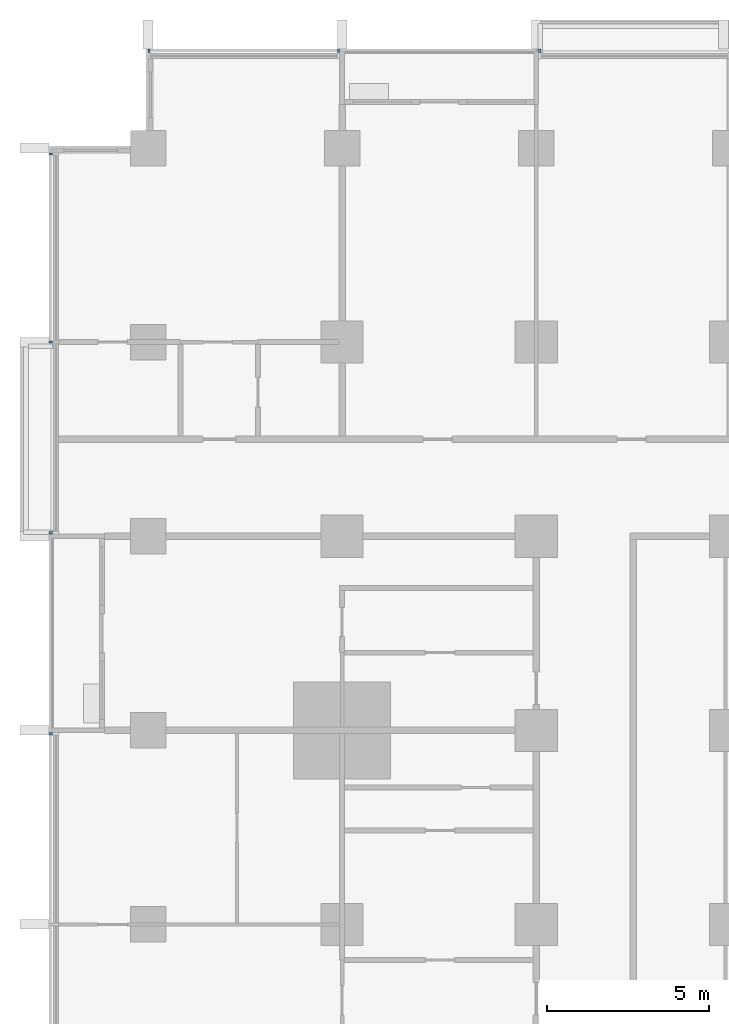
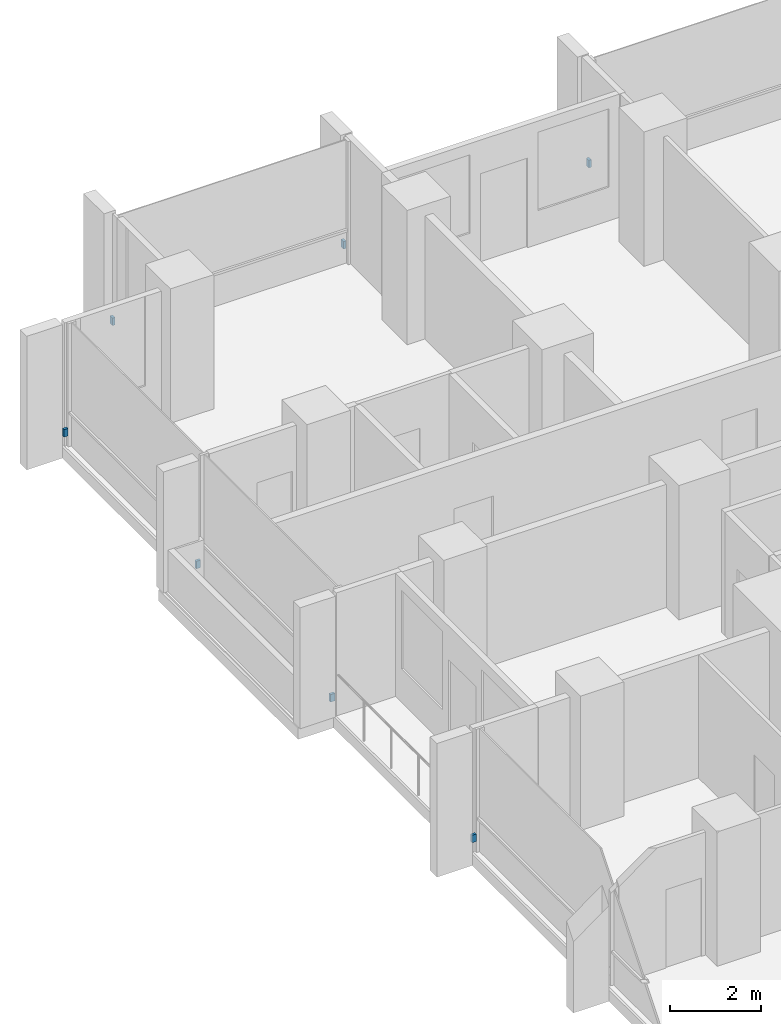
# One storey, part 16 of 18: 7 discrete accessories.
"""IFC4 building model written with IfcOpenShell, lengths in metres."""

from ifc_helpers import new_model, si_unit, direction, frame, origin, origin_2d, place, context, subcontext, project, spatial, rectangle, extrude, material, type_object, element, save


model = new_model("IFC4")

# Units and contexts
model_context = context("Model", 3, precision=1e-05, world=origin(), true_north=direction((0.0, 1.0)))
body_context = subcontext(model_context, "Body", "Model", "MODEL_VIEW")
ifc_project = project(units=[si_unit("LENGTHUNIT", "METRE"), si_unit("AREAUNIT", "SQUARE_METRE"), si_unit("VOLUMEUNIT", "CUBIC_METRE"), si_unit("PLANEANGLEUNIT", "RADIAN"), si_unit("MASSUNIT", "GRAM", prefix="KILO")], contexts=[model_context])

# Site, building, storey
site_placement = place(None, origin())
site = spatial("IfcSite", under=ifc_project, at=site_placement, CompositionType="ELEMENT")
building_placement = place(site_placement, origin())
building = spatial("IfcBuilding", under=site, at=building_placement, Name="Finial Court Residences", CompositionType="ELEMENT")
storey_placement = place(building_placement, frame((0.0, 0.0, 39.699951171875)))
storey = spatial("IfcBuildingStorey", under=building, at=storey_placement, Name="L08", CompositionType="ELEMENT", Elevation=39.699951171875)

# Discrete accessories
ifc_material = material(Name="Stainless steel 316", Category="steel")
discrete_accessory_type = type_object("IfcDiscreteAccessoryType", Name="Fin bracket, stainless steel 65 x 110 x 200", PredefinedType="BRACKET", material=ifc_material)
for number, where, z_axis, x_axis, name in (
    (1, (-22.467529296875, 28.5048828125, 0.30029296875), (0.0, 0.0, 1.0), (1.0, 0.0, 0.0), "E-L08-FIN-N1-BRK"),
    (2, (-16.607421875, 28.5048828125, 0.30029296875), (0.0, 0.0, 1.0), (1.0, 0.0, 0.0), "E-L08-FIN-N2-BRK"),
    (3, (-10.392578125, 28.5048828125, 0.30029296875), (0.0, 0.0, 1.0), (1.0, 0.0, 0.0), "E-L08-FIN-N3-BRK"),
):
    element("IfcDiscreteAccessory", number, at=place(storey_placement, frame(where, z_axis=z_axis, x_axis=x_axis)), inside=storey, type_object=discrete_accessory_type, Name=name, PredefinedType="BRACKET", context=body_context, shape_type="SweptSolid", body=[
        extrude(rectangle(XDim=0.06494140625, YDim=0.110107421875, at=origin_2d()), origin(), (0.0, 0.0, 1.0), 0.199951171875),
    ])
for number, where, z_axis, x_axis, name in (
    (4, (-25.5048828125, 7.392578125, 0.30029296875), (0.0, 0.0, 1.0), (1.0, 0.0, 0.0), "E-L08-FIN-W31-BRK"),
    (5, (-25.5048828125, 13.607421875, 0.30029296875), (0.0, 0.0, 1.0), (1.0, 0.0, 0.0), "E-L08-FIN-W32-BRK"),
    (6, (-25.5048828125, 19.5, 0.30029296875), (0.0, 0.0, 1.0), (1.0, 0.0, 0.0), "E-L08-FIN-W33-BRK"),
    (7, (-25.5048828125, 25.3173828125, 0.30029296875), (0.0, 0.0, 1.0), (1.0, 0.0, 0.0), "E-L08-FIN-W34-BRK"),
):
    element("IfcDiscreteAccessory", number, at=place(storey_placement, frame(where, z_axis=z_axis, x_axis=x_axis)), inside=storey, type_object=discrete_accessory_type, Name=name, PredefinedType="BRACKET", context=body_context, shape_type="SweptSolid", body=[
        extrude(rectangle(XDim=0.110107421875, YDim=0.06494140625, at=origin_2d()), origin(), (0.0, 0.0, 1.0), 0.199951171875),
    ])

save(model, "model.ifc")
